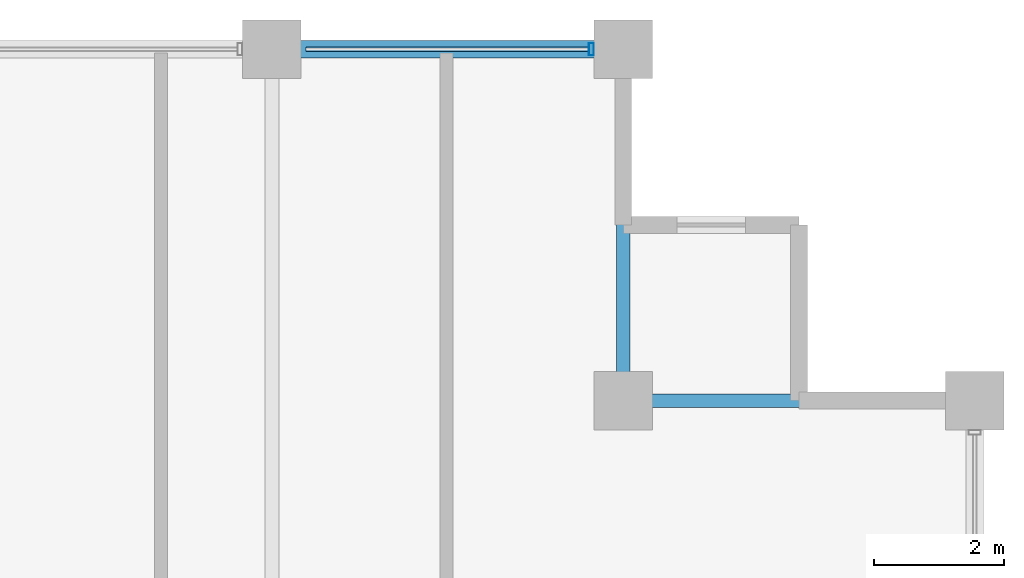
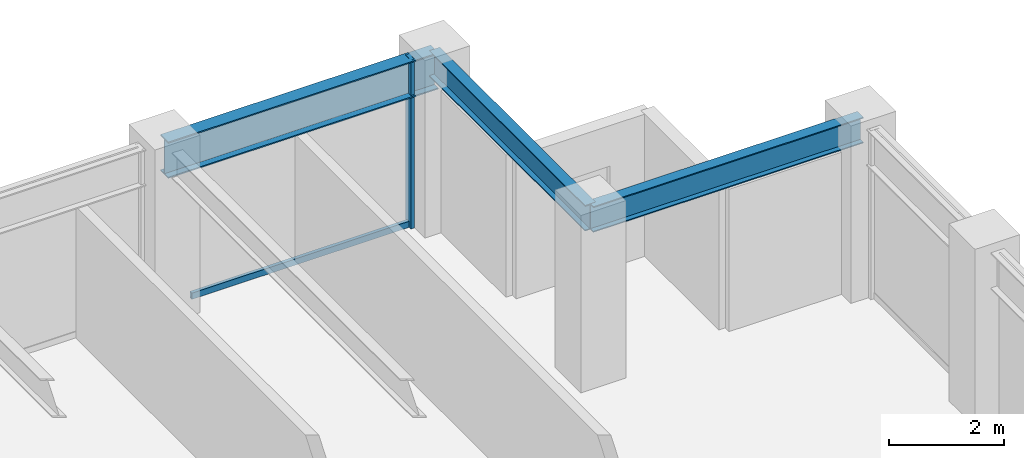
# One storey, part 24 of 32: 3 beams, 2 members, 1 element without a shape of its own.
"""IFC4 building model written with IfcOpenShell, lengths in metres."""

import ifcopenshell
import ifcopenshell.guid

model = None  # the IFC model being written
_history = None  # IfcOwnerHistory: only IFC2X3 demands one
_inside = {}  # id of a spatial element -> (the spatial element, [elements in it])
_under = {}  # id of a project, library or spatial element -> (it, [spatial elements below it])
_declared = {}  # id of a project -> (the project, [libraries it declares])
_typed = {}  # id of a type object -> (the type object, [elements of that type])
_made_of = {}  # id of a material, layer set ... -> (it, [elements and type objects made of it])


def new_model(schema):
    """Start an empty IFC model of exactly this schema.

    Asked for "IFC4X3", IfcOpenShell would pick the latest addendum, in which some entities
    have other attributes; the version numbers below select the first issue.
    IFC2X3 requires an IfcOwnerHistory on every rooted entity: one is made here for all.
    """
    global model, _history
    if schema == "IFC4X3":
        model = ifcopenshell.file(schema_version=(4, 3, 0, 0))
    else:
        model = ifcopenshell.file(schema=schema)
    _inside.clear()
    _under.clear()
    _declared.clear()
    _typed.clear()
    _made_of.clear()
    _history = None
    if model.schema == "IFC2X3":
        org = make("IfcOrganization", Name="unknown")
        user = make(
            "IfcPersonAndOrganization",
            ThePerson=make("IfcPerson", FamilyName="unknown"),
            TheOrganization=org,
        )
        app = make(
            "IfcApplication",
            ApplicationDeveloper=org,
            Version="unknown",
            ApplicationFullName="unknown",
            ApplicationIdentifier="unknown",
        )
        _history = make(
            "IfcOwnerHistory",
            OwningUser=user,
            OwningApplication=app,
            ChangeAction="ADDED",
            CreationDate=0,
        )
    return model


def make(cls, **values):
    """One entity of the class cls with the attributes given. An attribute that is None is left unset."""
    return model.create_entity(
        cls, **{name: value for name, value in values.items() if value is not None}
    )


def rooted(cls, **values):
    """An entity with a GlobalId (a new one), such as an element, a storey or a relation."""
    return make(cls, GlobalId=ifcopenshell.guid.new(), OwnerHistory=_history, **values)


def si_unit(unit_type, name, prefix=None):
    """IfcSIUnit, for example si_unit("LENGTHUNIT", "METRE", prefix="MILLI")."""
    return make("IfcSIUnit", UnitType=unit_type, Prefix=prefix, Name=name)


def assignment(units):
    """IfcUnitAssignment: the units of a project."""
    return None if units is None else make("IfcUnitAssignment", Units=units)


def point(xyz):
    """IfcCartesianPoint."""
    return None if xyz is None else make("IfcCartesianPoint", Coordinates=xyz)


def direction(xyz):
    """IfcDirection."""
    return None if xyz is None else make("IfcDirection", DirectionRatios=xyz)


def frame(location, z_axis=None, x_axis=None):
    """IfcAxis2Placement3D, a coordinate frame: its origin and axes. An axis left out is left unset."""
    return make(
        "IfcAxis2Placement3D",
        Location=point(location),
        Axis=direction(z_axis),
        RefDirection=direction(x_axis),
    )


def frame_2d(location, x_axis=None):
    """IfcAxis2Placement2D, a coordinate frame in the plane: its origin and x axis."""
    return make(
        "IfcAxis2Placement2D", Location=point(location), RefDirection=direction(x_axis)
    )


def origin():
    """The frame at (0, 0, 0) with its axes left unset."""
    return frame((0.0, 0.0, 0.0))


def origin_2d():
    """The frame at (0, 0) in the plane with its x axis left unset."""
    return frame_2d((0.0, 0.0))


def place(relative_to, where):
    """IfcLocalPlacement: puts the frame where relative to a parent placement (None: the world)."""
    return make(
        "IfcLocalPlacement", PlacementRelTo=relative_to, RelativePlacement=where
    )


def context(
    kind, dimensions, precision=None, world=None, true_north=None, identifier=None
):
    """IfcGeometricRepresentationContext, for example the 3D "Model" context."""
    return make(
        "IfcGeometricRepresentationContext",
        ContextIdentifier=identifier,
        ContextType=kind,
        CoordinateSpaceDimension=dimensions,
        Precision=precision,
        WorldCoordinateSystem=world,
        TrueNorth=true_north,
    )


def subcontext(parent, identifier, kind, view, scale=None):
    """IfcGeometricRepresentationSubContext, for example "Body" below "Model"."""
    return make(
        "IfcGeometricRepresentationSubContext",
        ContextIdentifier=identifier,
        ContextType=kind,
        ParentContext=parent,
        TargetScale=scale,
        TargetView=view,
    )


def project(units=None, contexts=None):
    """IfcProject with its units and contexts."""
    return rooted(
        "IfcProject",
        Name="project",
        RepresentationContexts=contexts,
        UnitsInContext=assignment(units),
    )


def spatial(cls, under=None, at=None, **own):
    """A site, building, storey or space (cls), placed at a placement, below another one or the project."""
    s = rooted(cls, ObjectPlacement=at, **own)
    if under is not None:
        _under.setdefault(under.id(), (under, []))[1].append(s)
    return s


def profile(cls, at=None, kind="AREA", **sizes):
    """A parametric profile (cls). Its sizes go by their IFC names, for example OverallWidth=200.0."""
    return make(cls, ProfileType=kind, Position=at, **sizes)


def hollow_rectangle(**sizes):
    """IfcRectangleHollowProfileDef."""
    return profile("IfcRectangleHollowProfileDef", **sizes)


def i_section(**sizes):
    """IfcIShapeProfileDef."""
    return profile("IfcIShapeProfileDef", **sizes)


def extrude(swept, where, along, depth):
    """IfcExtrudedAreaSolid: the profile swept, set in the frame where, extruded along a direction by depth."""
    return make(
        "IfcExtrudedAreaSolid",
        SweptArea=swept,
        Position=where,
        ExtrudedDirection=direction(along),
        Depth=depth,
    )


def shape(context_of_items, identifier, shape_type, items):
    """IfcShapeRepresentation: the items that make up one representation, for example the "Body"."""
    return make(
        "IfcShapeRepresentation",
        ContextOfItems=context_of_items,
        RepresentationIdentifier=identifier,
        RepresentationType=shape_type,
        Items=items,
    )


def material(Name=None, Category=None):
    """IfcMaterial."""
    return make("IfcMaterial", Name=Name, Category=Category)


def layer(
    of_material, thickness, ventilated=None, Name=None, Category=None, Priority=None
):
    """IfcMaterialLayer: one layer of a wall or slab, of a material (None: an air gap)."""
    return make(
        "IfcMaterialLayer",
        Material=of_material,
        LayerThickness=thickness,
        IsVentilated=ventilated,
        Name=Name,
        Category=Category,
        Priority=Priority,
    )


def layer_set(layers, Name=None):
    """IfcMaterialLayerSet."""
    return make("IfcMaterialLayerSet", MaterialLayers=layers, LayerSetName=Name)


def material_profile(
    of_material, cross_section, Name=None, Category=None, Priority=None
):
    """IfcMaterialProfile: a cross section and its material."""
    return make(
        "IfcMaterialProfile",
        Name=Name,
        Material=of_material,
        Profile=cross_section,
        Priority=Priority,
        Category=Category,
    )


def profile_set(profiles, Name=None, composite=None):
    """IfcMaterialProfileSet."""
    return make(
        "IfcMaterialProfileSet",
        Name=Name,
        MaterialProfiles=profiles,
        CompositeProfile=composite,
    )


def made_of(thing, what):
    """Note that an element or type object is made of a material, layer set ...; save() writes the relation."""
    if what is not None:
        _made_of.setdefault(what.id(), (what, []))[1].append(thing)
    return thing


def type_object(cls, material=None, **own):
    """A type object (cls), such as IfcWallType, which elements share."""
    return made_of(rooted(cls, **own), material)


def element(
    cls,
    number,
    at=None,
    inside=None,
    cuts=None,
    type_object=None,
    material=None,
    context=None,
    identifier="Body",
    shape_type=None,
    held_by="IfcProductDefinitionShape",
    body=None,
    shapes=None,
    **own,
):
    """One element of the class cls, such as IfcWall. Its Tag is "e" and its number.

    at: its placement. inside: the storey or other place that contains it. cuts: it is an
    opening in that element (IfcRelVoidsElement). A single representation is given by context,
    identifier, shape_type and body (its items); several are given by shapes. held_by: the class
    of the entity that holds the representations. save() writes the other relations.
    """
    e = rooted(cls, Tag="e%d" % number, ObjectPlacement=at, **own)
    if body is not None:
        shapes = [shape(context, identifier, shape_type, body)]
    if shapes is not None:
        e.Representation = make(held_by, Representations=shapes)
    if inside is not None:
        _inside.setdefault(inside.id(), (inside, []))[1].append(e)
    if cuts is not None:
        rooted(
            "IfcRelVoidsElement", RelatingBuildingElement=cuts, RelatedOpeningElement=e
        )
    if type_object is not None:
        _typed.setdefault(type_object.id(), (type_object, []))[1].append(e)
    return made_of(e, material)


def aggregate(whole, parts):
    """IfcRelAggregates: a whole, such as a stair, and the parts it consists of."""
    return rooted("IfcRelAggregates", RelatingObject=whole, RelatedObjects=parts)


def save(model, path):
    """Write the relations noted so far, then the file.

    IfcRelAggregates (storeys below a building ...), IfcRelContainedInSpatialStructure (elements
    in a storey), IfcRelDefinesByType, IfcRelAssociatesMaterial and IfcRelDeclares: one each for
    every whole, place, type object, material and project.
    """
    for whole, parts in _under.values():
        aggregate(whole, parts)
    for where, things in _inside.values():
        rooted(
            "IfcRelContainedInSpatialStructure",
            RelatedElements=things,
            RelatingStructure=where,
        )
    for kind, things in _typed.values():
        rooted("IfcRelDefinesByType", RelatedObjects=things, RelatingType=kind)
    for what, things in _made_of.values():
        rooted("IfcRelAssociatesMaterial", RelatedObjects=things, RelatingMaterial=what)
    for by, libraries in _declared.values():
        rooted("IfcRelDeclares", RelatingContext=by, RelatedDefinitions=libraries)
    model.write(path)


model = new_model("IFC4")

# Units and contexts
model_context = context("Model", 3, precision=1e-05, world=origin(), true_north=direction((0.0, 1.0)))
body_context = subcontext(model_context, "Body", "Model", "MODEL_VIEW")
ifc_project = project(units=[si_unit("LENGTHUNIT", "METRE"), si_unit("AREAUNIT", "SQUARE_METRE"), si_unit("VOLUMEUNIT", "CUBIC_METRE"), si_unit("PLANEANGLEUNIT", "RADIAN"), si_unit("MASSUNIT", "GRAM", prefix="KILO")], contexts=[model_context])

# Site, building, storey
site_placement = place(None, origin())
site = spatial("IfcSite", under=ifc_project, at=site_placement, CompositionType="ELEMENT")
building_placement = place(site_placement, origin())
building = spatial("IfcBuilding", under=site, at=building_placement, Name="Surkhivell Harbour Commons", CompositionType="ELEMENT")
storey_placement = place(building_placement, frame((0.0, 0.0, 212.25)))
storey = spatial("IfcBuildingStorey", under=building, at=storey_placement, Name="L55", CompositionType="ELEMENT", Elevation=212.25)

# Beams
ifc_material_1 = material(Name="Steel S355", Category="steel")
ifc_material_profile_1 = material_profile(ifc_material_1, i_section(OverallWidth=0.2119140625, OverallDepth=0.5439453125, WebThickness=0.0126953125, FlangeThickness=0.021240234375, at=origin_2d()), Name="UB533x210x122")
ifc_profile_set_1 = profile_set([ifc_material_profile_1], Name="Steel S355")
beam_type_1 = type_object("IfcBeamType", Name="BM-GRD-533A", PredefinedType="BEAM", material=ifc_profile_set_1)
beam_1_placement = place(storey_placement, frame((16.199951171875, 20.5, 3.298095703125), z_axis=(0.0, 1.0, 0.0), x_axis=(-1.0, 0.0, 0.0)))
element("IfcBeam", 1, at=beam_1_placement, inside=storey, type_object=beam_type_1, Name="L55 Floor Girder (16.2,20.5)", PredefinedType="BEAM", context=body_context, shape_type="SweptSolid", body=[
    extrude(i_section(OverallWidth=0.2119140625, OverallDepth=0.5439453125, WebThickness=0.0126953125, FlangeThickness=0.021240234375, at=origin_2d()), origin(), (0.0, 0.0, 1.0), 5.39990234375),
])
beam_2_placement = place(storey_placement, frame((16.199951171875, 20.5, 3.298095703125), z_axis=(1.0, 0.0, 0.0), x_axis=(0.0, 1.0, 0.0)))
element("IfcBeam", 2, at=beam_2_placement, inside=storey, type_object=beam_type_1, Name="L55 Floor Girder (16.2,20.5)", PredefinedType="BEAM", context=body_context, shape_type="SweptSolid", body=[
    extrude(i_section(OverallWidth=0.2119140625, OverallDepth=0.5439453125, WebThickness=0.0126953125, FlangeThickness=0.021240234375, at=origin_2d()), origin(), (0.0, 0.0, 1.0), 5.400146484375),
])
ifc_material_profile_2 = material_profile(ifc_material_1, i_section(OverallWidth=0.26806640625, OverallDepth=0.77001953125, WebThickness=0.015625, FlangeThickness=0.025390625, at=origin_2d()), Name="UB762x267x197")
ifc_profile_set_2 = profile_set([ifc_material_profile_2], Name="Steel S355")
beam_type_2 = type_object("IfcBeamType", Name="BM-SPN-762", PredefinedType="SPANDREL", material=ifc_profile_set_2)
beam_3_placement = place(storey_placement, frame((10.800048828125, 25.89990234375, 3.18505859375), z_axis=(1.0, 0.0, 0.0), x_axis=(0.0, 1.0, 0.0)))
element("IfcBeam", 3, at=beam_3_placement, inside=storey, type_object=beam_type_2, Name="L55 Tube Spandrel (10.8,25.9)", PredefinedType="SPANDREL", context=body_context, shape_type="SweptSolid", body=[
    extrude(i_section(OverallWidth=0.26806640625, OverallDepth=0.77001953125, WebThickness=0.015625, FlangeThickness=0.025390625, at=origin_2d()), origin(), (0.0, 0.0, 1.0), 5.39990234375),
])

# Curtain wall, members
ifc_material_2 = material(Name="Anodised pale-metal aluminium and insulated glazing", Category="aluminium")
ifc_layer = layer(ifc_material_2, 0.18994140625)
ifc_layer_set = layer_set([ifc_layer], Name="Anodised pale-metal aluminium and insulated glazing")
curtain_wall_type = type_object("IfcCurtainWallType", Name="CW-SYS-Z3", PredefinedType="NOTDEFINED", material=ifc_layer_set)
curtain_wall_placement = place(storey_placement, origin())
curtain_wall = element("IfcCurtainWall", 4, at=curtain_wall_placement, inside=storey, type_object=curtain_wall_type, Name="L55 Curtain Wall CW-L55-E07S1", PredefinedType="NOTDEFINED")
ifc_material_3 = material(Name="Anodised pale-metal aluminium alloy 6063-T6", Category="aluminium")
ifc_material_profile_3 = material_profile(ifc_material_3, hollow_rectangle(XDim=0.074951171875, YDim=0.18994140625, WallThickness=0.00390625, at=origin_2d()), Name="ALU-MULL-75x190")
ifc_profile_set_3 = profile_set([ifc_material_profile_3], Name="Anodised pale-metal aluminium alloy 6063-T6")
member_type_1 = type_object("IfcMemberType", Name="CWM-190", PredefinedType="MULLION", material=ifc_profile_set_3)
member_1_placement = place(storey_placement, frame((15.71044921875, 25.89990234375, 0.0), z_axis=(0.0, 0.0, 1.0), x_axis=(-1.0, 0.0, 0.0)))
member_1 = element("IfcMember", 5, at=member_1_placement, type_object=member_type_1, Name="CW-Z3 mullion 1", PredefinedType="MULLION", context=body_context, shape_type="SweptSolid", body=[
    extrude(hollow_rectangle(XDim=0.074951171875, YDim=0.18994140625, WallThickness=0.00390625, at=origin_2d()), origin(), (0.0, 0.0, 1.0), 3.570068359375),
])
ifc_material_4 = material(Name="Champagne anodised aluminium alloy 6063-T6", Category="aluminium")
ifc_material_profile_4 = material_profile(ifc_material_4, hollow_rectangle(XDim=0.070068359375, YDim=0.1298828125, WallThickness=0.00341796875, at=origin_2d()), Name="ALU-TRAN-70x130")
ifc_profile_set_4 = profile_set([ifc_material_profile_4], Name="Champagne anodised aluminium alloy 6063-T6")
member_type_2 = type_object("IfcMemberType", Name="CWT-130", PredefinedType="USERDEFINED", material=ifc_profile_set_4)
member_2_placement = place(storey_placement, frame((15.673095703125, 25.89990234375, 0.06494140625), z_axis=(-1.0, 0.0, 0.0), x_axis=(0.0, -1.0, 0.0)))
member_2 = element("IfcMember", 6, at=member_2_placement, type_object=member_type_2, Name="CW-Z3 transom 1.1", ObjectType="TRANSOM", PredefinedType="USERDEFINED", context=body_context, shape_type="SweptSolid", body=[
    extrude(hollow_rectangle(XDim=0.070068359375, YDim=0.1298828125, WallThickness=0.00341796875, at=origin_2d()), origin(), (0.0, 0.0, 1.0), 4.34619140625),
])
aggregate(curtain_wall, [member_1, member_2])

save(model, "model.ifc")
